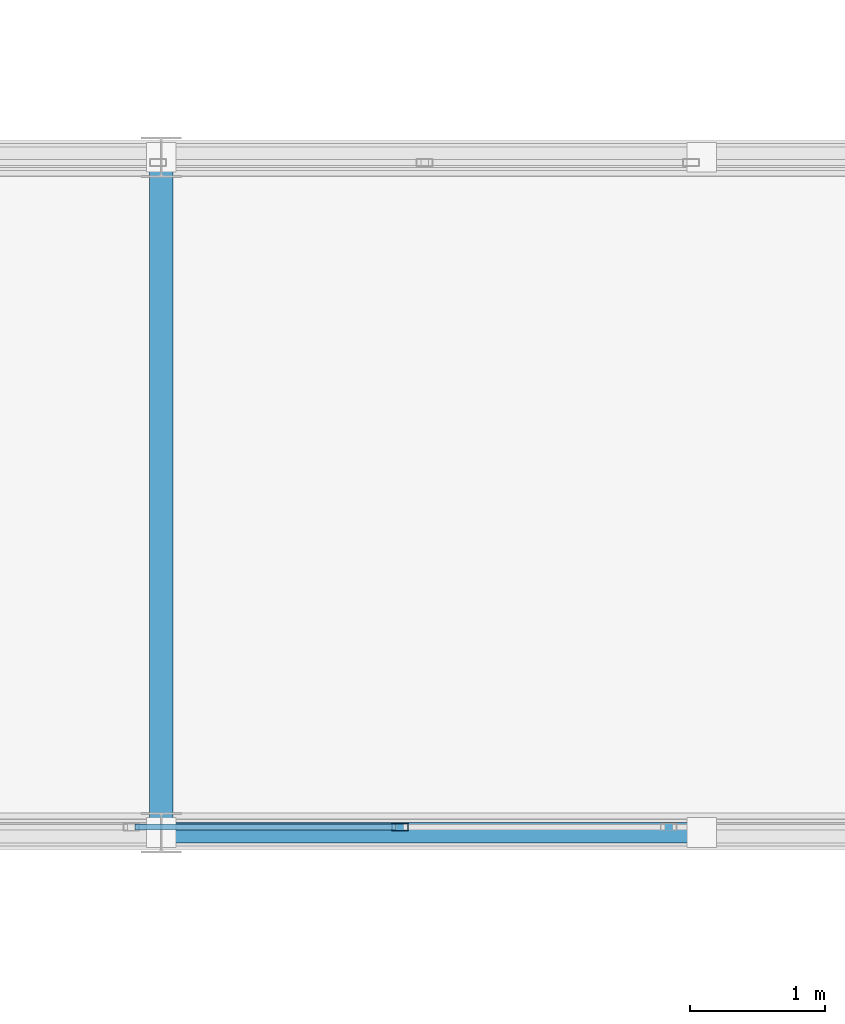
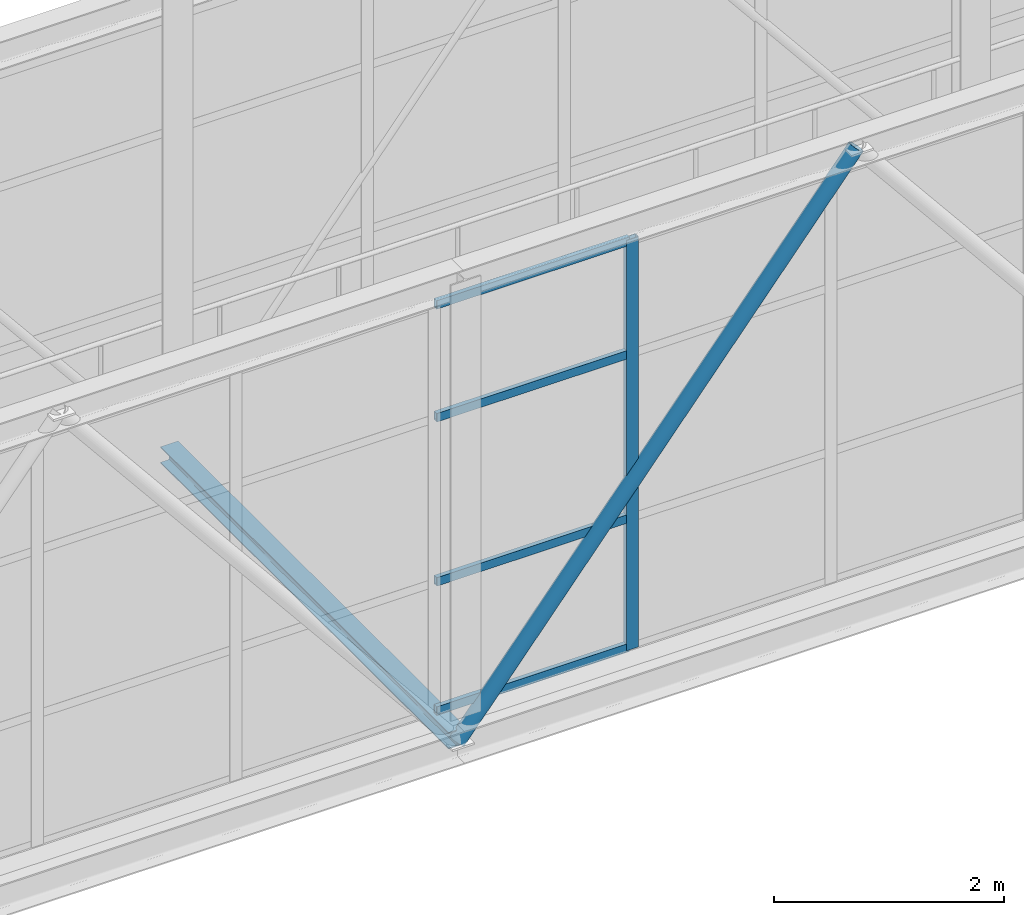
# One storey, part 159 of 248: 7 members, 1 element without a shape of its own.
"""IFC4 building model written with IfcOpenShell, lengths in metres."""

import ifcopenshell
import ifcopenshell.guid

model = None  # the IFC model being written
_history = None  # IfcOwnerHistory: only IFC2X3 demands one
_inside = {}  # id of a spatial element -> (the spatial element, [elements in it])
_under = {}  # id of a project, library or spatial element -> (it, [spatial elements below it])
_declared = {}  # id of a project -> (the project, [libraries it declares])
_typed = {}  # id of a type object -> (the type object, [elements of that type])
_made_of = {}  # id of a material, layer set ... -> (it, [elements and type objects made of it])


def new_model(schema):
    """Start an empty IFC model of exactly this schema.

    Asked for "IFC4X3", IfcOpenShell would pick the latest addendum, in which some entities
    have other attributes; the version numbers below select the first issue.
    IFC2X3 requires an IfcOwnerHistory on every rooted entity: one is made here for all.
    """
    global model, _history
    if schema == "IFC4X3":
        model = ifcopenshell.file(schema_version=(4, 3, 0, 0))
    else:
        model = ifcopenshell.file(schema=schema)
    _inside.clear()
    _under.clear()
    _declared.clear()
    _typed.clear()
    _made_of.clear()
    _history = None
    if model.schema == "IFC2X3":
        org = make("IfcOrganization", Name="unknown")
        user = make(
            "IfcPersonAndOrganization",
            ThePerson=make("IfcPerson", FamilyName="unknown"),
            TheOrganization=org,
        )
        app = make(
            "IfcApplication",
            ApplicationDeveloper=org,
            Version="unknown",
            ApplicationFullName="unknown",
            ApplicationIdentifier="unknown",
        )
        _history = make(
            "IfcOwnerHistory",
            OwningUser=user,
            OwningApplication=app,
            ChangeAction="ADDED",
            CreationDate=0,
        )
    return model


def make(cls, **values):
    """One entity of the class cls with the attributes given. An attribute that is None is left unset."""
    return model.create_entity(
        cls, **{name: value for name, value in values.items() if value is not None}
    )


def rooted(cls, **values):
    """An entity with a GlobalId (a new one), such as an element, a storey or a relation."""
    return make(cls, GlobalId=ifcopenshell.guid.new(), OwnerHistory=_history, **values)


def si_unit(unit_type, name, prefix=None):
    """IfcSIUnit, for example si_unit("LENGTHUNIT", "METRE", prefix="MILLI")."""
    return make("IfcSIUnit", UnitType=unit_type, Prefix=prefix, Name=name)


def assignment(units):
    """IfcUnitAssignment: the units of a project."""
    return None if units is None else make("IfcUnitAssignment", Units=units)


def point(xyz):
    """IfcCartesianPoint."""
    return None if xyz is None else make("IfcCartesianPoint", Coordinates=xyz)


def direction(xyz):
    """IfcDirection."""
    return None if xyz is None else make("IfcDirection", DirectionRatios=xyz)


def frame(location, z_axis=None, x_axis=None):
    """IfcAxis2Placement3D, a coordinate frame: its origin and axes. An axis left out is left unset."""
    return make(
        "IfcAxis2Placement3D",
        Location=point(location),
        Axis=direction(z_axis),
        RefDirection=direction(x_axis),
    )


def frame_2d(location, x_axis=None):
    """IfcAxis2Placement2D, a coordinate frame in the plane: its origin and x axis."""
    return make(
        "IfcAxis2Placement2D", Location=point(location), RefDirection=direction(x_axis)
    )


def origin():
    """The frame at (0, 0, 0) with its axes left unset."""
    return frame((0.0, 0.0, 0.0))


def origin_2d():
    """The frame at (0, 0) in the plane with its x axis left unset."""
    return frame_2d((0.0, 0.0))


def place(relative_to, where):
    """IfcLocalPlacement: puts the frame where relative to a parent placement (None: the world)."""
    return make(
        "IfcLocalPlacement", PlacementRelTo=relative_to, RelativePlacement=where
    )


def context(
    kind, dimensions, precision=None, world=None, true_north=None, identifier=None
):
    """IfcGeometricRepresentationContext, for example the 3D "Model" context."""
    return make(
        "IfcGeometricRepresentationContext",
        ContextIdentifier=identifier,
        ContextType=kind,
        CoordinateSpaceDimension=dimensions,
        Precision=precision,
        WorldCoordinateSystem=world,
        TrueNorth=true_north,
    )


def subcontext(parent, identifier, kind, view, scale=None):
    """IfcGeometricRepresentationSubContext, for example "Body" below "Model"."""
    return make(
        "IfcGeometricRepresentationSubContext",
        ContextIdentifier=identifier,
        ContextType=kind,
        ParentContext=parent,
        TargetScale=scale,
        TargetView=view,
    )


def project(units=None, contexts=None):
    """IfcProject with its units and contexts."""
    return rooted(
        "IfcProject",
        Name="project",
        RepresentationContexts=contexts,
        UnitsInContext=assignment(units),
    )


def spatial(cls, under=None, at=None, **own):
    """A site, building, storey or space (cls), placed at a placement, below another one or the project."""
    s = rooted(cls, ObjectPlacement=at, **own)
    if under is not None:
        _under.setdefault(under.id(), (under, []))[1].append(s)
    return s


def profile(cls, at=None, kind="AREA", **sizes):
    """A parametric profile (cls). Its sizes go by their IFC names, for example OverallWidth=200.0."""
    return make(cls, ProfileType=kind, Position=at, **sizes)


def hollow_rectangle(**sizes):
    """IfcRectangleHollowProfileDef."""
    return profile("IfcRectangleHollowProfileDef", **sizes)


def hollow_circle(**sizes):
    """IfcCircleHollowProfileDef."""
    return profile("IfcCircleHollowProfileDef", **sizes)


def i_section(**sizes):
    """IfcIShapeProfileDef."""
    return profile("IfcIShapeProfileDef", **sizes)


def extrude(swept, where, along, depth):
    """IfcExtrudedAreaSolid: the profile swept, set in the frame where, extruded along a direction by depth."""
    return make(
        "IfcExtrudedAreaSolid",
        SweptArea=swept,
        Position=where,
        ExtrudedDirection=direction(along),
        Depth=depth,
    )


def shape(context_of_items, identifier, shape_type, items):
    """IfcShapeRepresentation: the items that make up one representation, for example the "Body"."""
    return make(
        "IfcShapeRepresentation",
        ContextOfItems=context_of_items,
        RepresentationIdentifier=identifier,
        RepresentationType=shape_type,
        Items=items,
    )


def material(Name=None, Category=None):
    """IfcMaterial."""
    return make("IfcMaterial", Name=Name, Category=Category)


def layer(
    of_material, thickness, ventilated=None, Name=None, Category=None, Priority=None
):
    """IfcMaterialLayer: one layer of a wall or slab, of a material (None: an air gap)."""
    return make(
        "IfcMaterialLayer",
        Material=of_material,
        LayerThickness=thickness,
        IsVentilated=ventilated,
        Name=Name,
        Category=Category,
        Priority=Priority,
    )


def layer_set(layers, Name=None):
    """IfcMaterialLayerSet."""
    return make("IfcMaterialLayerSet", MaterialLayers=layers, LayerSetName=Name)


def material_profile(
    of_material, cross_section, Name=None, Category=None, Priority=None
):
    """IfcMaterialProfile: a cross section and its material."""
    return make(
        "IfcMaterialProfile",
        Name=Name,
        Material=of_material,
        Profile=cross_section,
        Priority=Priority,
        Category=Category,
    )


def profile_set(profiles, Name=None, composite=None):
    """IfcMaterialProfileSet."""
    return make(
        "IfcMaterialProfileSet",
        Name=Name,
        MaterialProfiles=profiles,
        CompositeProfile=composite,
    )


def made_of(thing, what):
    """Note that an element or type object is made of a material, layer set ...; save() writes the relation."""
    if what is not None:
        _made_of.setdefault(what.id(), (what, []))[1].append(thing)
    return thing


def type_object(cls, material=None, **own):
    """A type object (cls), such as IfcWallType, which elements share."""
    return made_of(rooted(cls, **own), material)


def element(
    cls,
    number,
    at=None,
    inside=None,
    cuts=None,
    type_object=None,
    material=None,
    context=None,
    identifier="Body",
    shape_type=None,
    held_by="IfcProductDefinitionShape",
    body=None,
    shapes=None,
    **own,
):
    """One element of the class cls, such as IfcWall. Its Tag is "e" and its number.

    at: its placement. inside: the storey or other place that contains it. cuts: it is an
    opening in that element (IfcRelVoidsElement). A single representation is given by context,
    identifier, shape_type and body (its items); several are given by shapes. held_by: the class
    of the entity that holds the representations. save() writes the other relations.
    """
    e = rooted(cls, Tag="e%d" % number, ObjectPlacement=at, **own)
    if body is not None:
        shapes = [shape(context, identifier, shape_type, body)]
    if shapes is not None:
        e.Representation = make(held_by, Representations=shapes)
    if inside is not None:
        _inside.setdefault(inside.id(), (inside, []))[1].append(e)
    if cuts is not None:
        rooted(
            "IfcRelVoidsElement", RelatingBuildingElement=cuts, RelatedOpeningElement=e
        )
    if type_object is not None:
        _typed.setdefault(type_object.id(), (type_object, []))[1].append(e)
    return made_of(e, material)


def aggregate(whole, parts):
    """IfcRelAggregates: a whole, such as a stair, and the parts it consists of."""
    return rooted("IfcRelAggregates", RelatingObject=whole, RelatedObjects=parts)


def save(model, path):
    """Write the relations noted so far, then the file.

    IfcRelAggregates (storeys below a building ...), IfcRelContainedInSpatialStructure (elements
    in a storey), IfcRelDefinesByType, IfcRelAssociatesMaterial and IfcRelDeclares: one each for
    every whole, place, type object, material and project.
    """
    for whole, parts in _under.values():
        aggregate(whole, parts)
    for where, things in _inside.values():
        rooted(
            "IfcRelContainedInSpatialStructure",
            RelatedElements=things,
            RelatingStructure=where,
        )
    for kind, things in _typed.values():
        rooted("IfcRelDefinesByType", RelatedObjects=things, RelatingType=kind)
    for what, things in _made_of.values():
        rooted("IfcRelAssociatesMaterial", RelatedObjects=things, RelatingMaterial=what)
    for by, libraries in _declared.values():
        rooted("IfcRelDeclares", RelatingContext=by, RelatedDefinitions=libraries)
    model.write(path)


model = new_model("IFC4")

# Units and contexts
model_context = context("Model", 3, precision=1e-05, world=origin(), true_north=direction((0.0, 1.0)))
body_context = subcontext(model_context, "Body", "Model", "MODEL_VIEW")
ifc_project = project(units=[si_unit("LENGTHUNIT", "METRE"), si_unit("AREAUNIT", "SQUARE_METRE"), si_unit("VOLUMEUNIT", "CUBIC_METRE"), si_unit("PLANEANGLEUNIT", "RADIAN"), si_unit("MASSUNIT", "GRAM", prefix="KILO")], contexts=[model_context])

# Site, building, storey
site_placement = place(None, origin())
site = spatial("IfcSite", under=ifc_project, at=site_placement, CompositionType="ELEMENT")
building_placement = place(site_placement, origin())
building = spatial("IfcBuilding", under=site, at=building_placement, Name="Canggui Botanical Conservatory", CompositionType="ELEMENT")
storey_placement = place(building_placement, frame((0.0, 0.0, 5.39990234375)))
storey = spatial("IfcBuildingStorey", under=building, at=storey_placement, Name="L02", CompositionType="ELEMENT", Elevation=5.39990234375)

# Curtain wall, members
ifc_material_1 = material(Name="Thermally Broken Aluminium", Category="aluminium")
ifc_layer = layer(ifc_material_1, 0.1201171875, Name="Thermally Broken Aluminium", Category="aluminium")
ifc_layer_set = layer_set([ifc_layer], Name="Thermally Broken Aluminium")
curtain_wall_type = type_object("IfcCurtainWallType", Name="CW-STICK-B", PredefinedType="USERDEFINED", material=ifc_layer_set)
curtain_wall_placement = place(storey_placement, origin())
curtain_wall = element("IfcCurtainWall", 1, at=curtain_wall_placement, inside=storey, type_object=curtain_wall_type, Name="Facade Curtain Wall CW-SB-04-1", ObjectType="STICK GLAZED WALL", PredefinedType="USERDEFINED")
ifc_material_profile_1 = material_profile(ifc_material_1, hollow_rectangle(XDim=0.054931640625, YDim=0.1201171875, WallThickness=0.0029296875, at=origin_2d()), Name="CWM 55x120x3")
ifc_profile_set_1 = profile_set([ifc_material_profile_1], Name="Thermally Broken Aluminium")
member_type_1 = type_object("IfcMemberType", Name="CWM-05", PredefinedType="MULLION", material=ifc_profile_set_1)
member_1_placement = place(storey_placement, frame((107.26708984375, 75.0400390625, 0.0), z_axis=(0.0, 0.0, 1.0), x_axis=(0.0, 1.0, 0.0)))
member_1 = element("IfcMember", 2, at=member_1_placement, type_object=member_type_1, Name="CW-05 mullion 21", PredefinedType="MULLION", context=body_context, shape_type="SweptSolid", body=[
    extrude(hollow_rectangle(XDim=0.054931640625, YDim=0.1201171875, WallThickness=0.0029296875, at=origin_2d()), origin(), (0.0, 0.0, 1.0), 4.35009765625),
])
ifc_material_profile_2 = material_profile(ifc_material_1, hollow_rectangle(XDim=0.044921875, YDim=0.090087890625, WallThickness=0.0029296875, at=origin_2d()), Name="CWT 45x90x3")
ifc_profile_set_2 = profile_set([ifc_material_profile_2], Name="Thermally Broken Aluminium")
member_type_2 = type_object("IfcMemberType", Name="CWT-05", PredefinedType="USERDEFINED", material=ifc_profile_set_2)
member_2_placement = place(storey_placement, frame((105.30517578125, 75.0400390625, 0.022705078125), z_axis=(1.0, 0.0, 0.0), x_axis=(0.0, 1.0, 0.0)))
member_2 = element("IfcMember", 3, at=member_2_placement, type_object=member_type_2, Name="CW-05 transom 20.1", ObjectType="TRANSOM", PredefinedType="USERDEFINED", context=body_context, shape_type="SweptSolid", body=[
    extrude(hollow_rectangle(XDim=0.044921875, YDim=0.090087890625, WallThickness=0.0029296875, at=origin_2d()), origin(), (0.0, 0.0, 1.0), 1.934326171875),
])
member_3_placement = place(storey_placement, frame((105.30517578125, 75.0400390625, 1.39208984375), z_axis=(1.0, 0.0, 0.0), x_axis=(0.0, 1.0, 0.0)))
member_3 = element("IfcMember", 4, at=member_3_placement, type_object=member_type_2, Name="CW-05 transom 20.2", ObjectType="TRANSOM", PredefinedType="USERDEFINED", context=body_context, shape_type="SweptSolid", body=[
    extrude(hollow_rectangle(XDim=0.044921875, YDim=0.090087890625, WallThickness=0.0029296875, at=origin_2d()), origin(), (0.0, 0.0, 1.0), 1.934326171875),
])
member_4_placement = place(storey_placement, frame((105.30517578125, 75.0400390625, 3.132080078125), z_axis=(1.0, 0.0, 0.0), x_axis=(0.0, 1.0, 0.0)))
member_4 = element("IfcMember", 5, at=member_4_placement, type_object=member_type_2, Name="CW-05 transom 20.3", ObjectType="TRANSOM", PredefinedType="USERDEFINED", context=body_context, shape_type="SweptSolid", body=[
    extrude(hollow_rectangle(XDim=0.044921875, YDim=0.090087890625, WallThickness=0.0029296875, at=origin_2d()), origin(), (0.0, 0.0, 1.0), 1.934326171875),
])
member_5_placement = place(storey_placement, frame((105.30517578125, 75.0400390625, 4.32763671875), z_axis=(1.0, 0.0, 0.0), x_axis=(0.0, 1.0, 0.0)))
member_5 = element("IfcMember", 6, at=member_5_placement, type_object=member_type_2, Name="CW-05 transom 20.4", ObjectType="TRANSOM", PredefinedType="USERDEFINED", context=body_context, shape_type="SweptSolid", body=[
    extrude(hollow_rectangle(XDim=0.044921875, YDim=0.090087890625, WallThickness=0.0029296875, at=origin_2d()), origin(), (0.0, 0.0, 1.0), 1.934326171875),
])
aggregate(curtain_wall, [member_1, member_2, member_3, member_4, member_5])

# Members
ifc_material_2 = material(Name="Steel Q355C", Category="steel")
ifc_material_profile_3 = material_profile(ifc_material_2, hollow_circle(Radius=0.075927734375, WallThickness=0.006103515625, at=origin_2d()), Name="CHS 152x6")
ifc_profile_set_3 = profile_set([ifc_material_profile_3], Name="Steel Q355C")
member_type_3 = type_object("IfcMemberType", Name="MEM-GSD04", PredefinedType="RAFTER", material=ifc_profile_set_3)
member_6_placement = place(storey_placement, frame((105.5, 75.0, -0.349853515625), z_axis=(0.632384053133, 0.0, 0.774655026024), x_axis=(0.0, 1.0, 0.0)))
element("IfcMember", 7, at=member_6_placement, inside=storey, type_object=member_type_3, Name="SB-04 Truss Web Rafter 1.7A", PredefinedType="RAFTER", context=body_context, shape_type="SweptSolid", body=[
    extrude(hollow_circle(Radius=0.075927734375, WallThickness=0.006103515625, at=origin_2d()), origin(), (0.0, 0.0, 1.0), 6.3251953125),
])
ifc_material_3 = material(Name="Steel Q355B", Category="steel")
ifc_material_profile_4 = material_profile(ifc_material_3, i_section(OverallWidth=0.175048828125, OverallDepth=0.175048828125, WebThickness=0.007568359375, FlangeThickness=0.010986328125, FilletRadius=0.011962890625, at=origin_2d()), Name="HW 175x175x7.5x11")
ifc_profile_set_4 = profile_set([ifc_material_profile_4], Name="Steel Q355B")
member_type_4 = type_object("IfcMemberType", Name="MEM-STR02", PredefinedType="STRINGER", material=ifc_profile_set_4)
member_7_placement = place(storey_placement, frame((105.5, 75.0, -0.31982421875), z_axis=(0.0, 1.0, 0.0), x_axis=(-1.0, 0.0, 0.0)))
element("IfcMember", 8, at=member_7_placement, inside=storey, type_object=member_type_4, Name="SB-04 Deck Transverse Stringer 5", PredefinedType="STRINGER", context=body_context, shape_type="SweptSolid", body=[
    extrude(i_section(OverallWidth=0.175048828125, OverallDepth=0.175048828125, WebThickness=0.007568359375, FlangeThickness=0.010986328125, FilletRadius=0.011962890625, at=origin_2d()), origin(), (0.0, 0.0, 1.0), 5.0),
])

save(model, "model.ifc")
